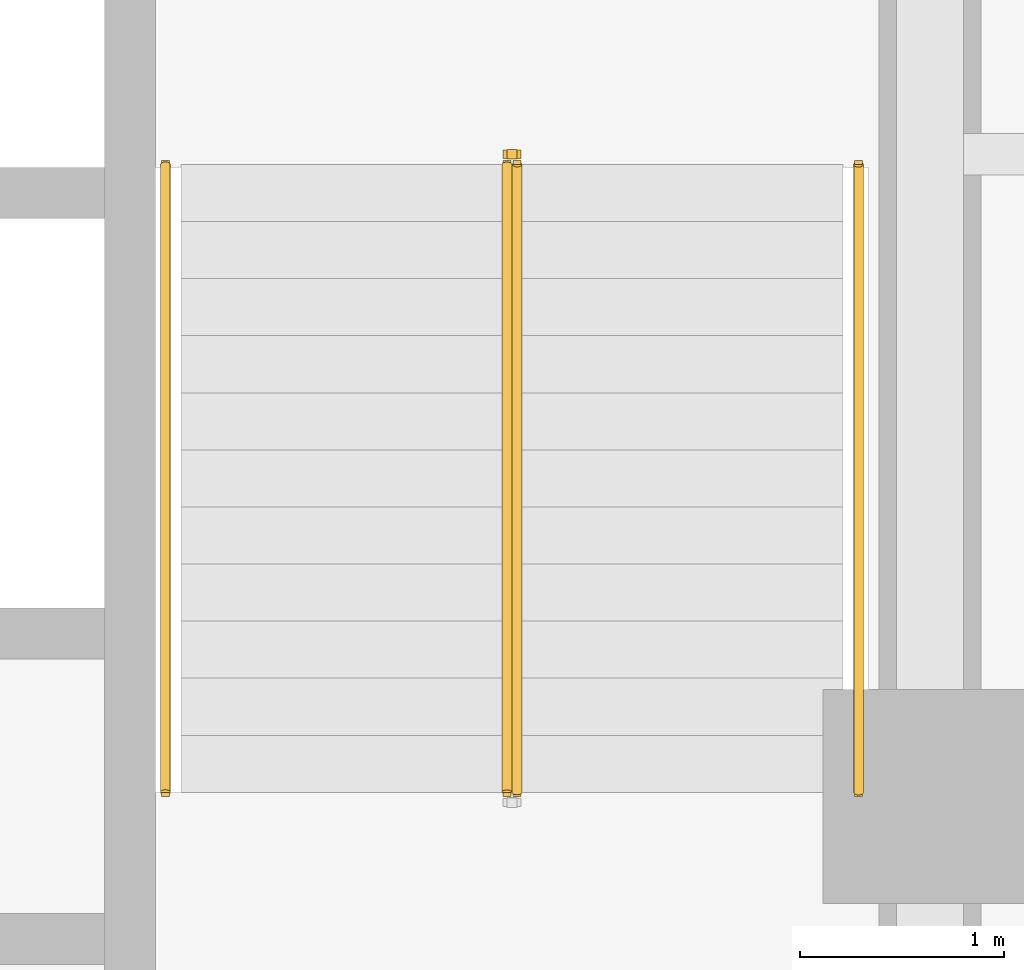
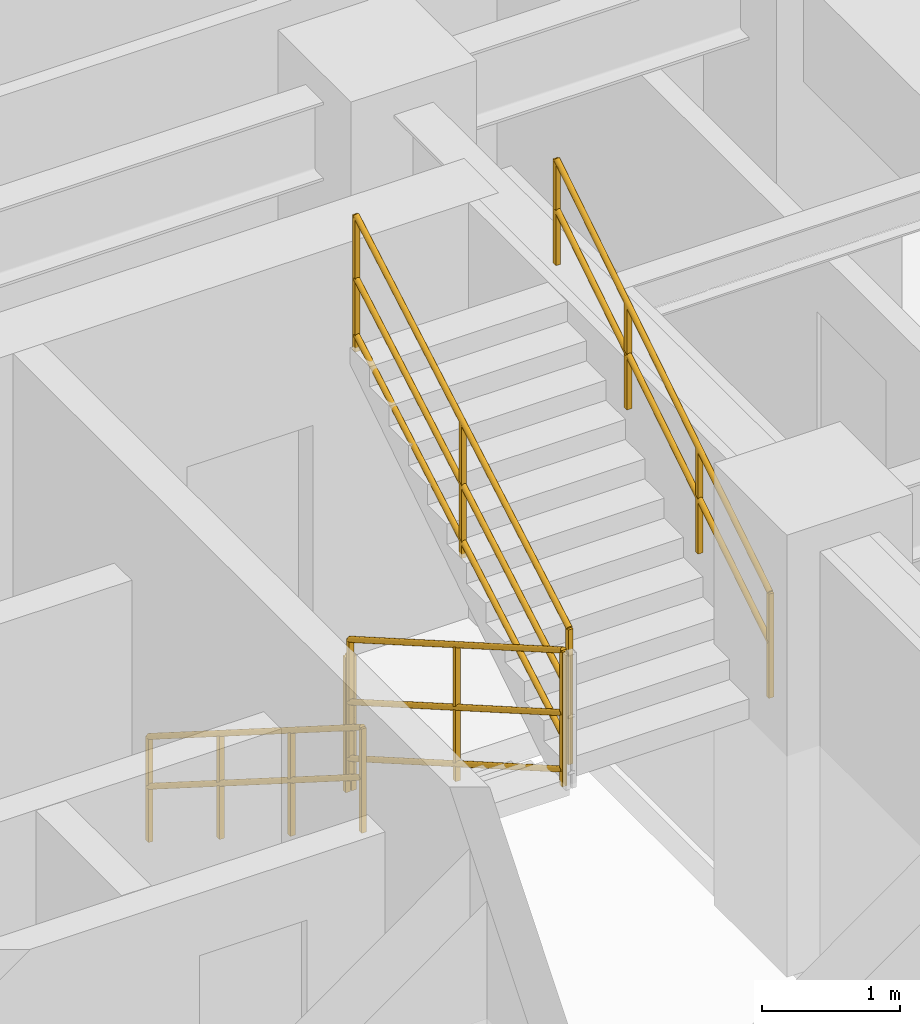
# One storey, part 8 of 9: 5 railings.
"""IFC4 building model written with IfcOpenShell, lengths in metres."""

from ifc_helpers import new_model, entity, si_unit, converted_unit, direction, frame, origin_with_axes, origin_2d_with_axis, place, context, subcontext, project, spatial, rectangle, circle, extrude, material, type_object, element, save


model = new_model("IFC4")

# Units and contexts
model_context = context("Model", 3, precision=1e-05, world=origin_with_axes(), true_north=direction((0.0, 1.0)))
body_context = subcontext(model_context, "Body", "Model", "MODEL_VIEW")
ifc_project = project(units=[si_unit("LENGTHUNIT", "METRE"), si_unit("AREAUNIT", "SQUARE_METRE"), si_unit("VOLUMEUNIT", "CUBIC_METRE"), converted_unit("PLANEANGLEUNIT", "DEGREE", entity("IfcPlaneAngleMeasure", 0.017453292519943295), si_unit("PLANEANGLEUNIT", "RADIAN"), dimensions=[0, 0, 0, 0, 0, 0, 0]), si_unit("MASSUNIT", "GRAM", prefix="KILO"), si_unit("THERMODYNAMICTEMPERATUREUNIT", "KELVIN")], contexts=[model_context])

# Site, building, storey
site_placement = place(None, origin_with_axes())
site = spatial("IfcSite", under=ifc_project, at=site_placement, CompositionType="ELEMENT")
building_placement = place(site_placement, origin_with_axes())
building = spatial("IfcBuilding", under=site, at=building_placement, Name="Varnlund Millrace Tower", CompositionType="ELEMENT")
storey_placement = place(building_placement, frame((0.0, 0.0, 164.1), z_axis=(0.0, 0.0, 1.0), x_axis=(1.0, 0.0, 0.0)))
storey = spatial("IfcBuildingStorey", under=building, at=storey_placement, Name="L40", CompositionType="ELEMENT", Elevation=164.1)

# Railings
ifc_material_1 = material(Name="Painted steel stair well balustrade guard", Category="steel")
railing_type_1 = type_object("IfcRailingType", Name="Type-StairGuard-1150", PredefinedType="GUARDRAIL", material=ifc_material_1)
railing_1_placement = place(storey_placement, frame((0.0, 0.0, -164.1), z_axis=(0.0, 0.0, 1.0), x_axis=(1.0, 0.0, 0.0)))
element("IfcRailing", 1, at=railing_1_placement, inside=storey, type_object=railing_type_1, Name="Type-StairGuard-1150", PredefinedType="GUARDRAIL", context=body_context, shape_type="SweptSolid", body=[
    extrude(circle(Radius=0.024, at=origin_2d_with_axis()), frame((45.975, 21.1, 165.427273), z_axis=(0.0, -0.866696, 0.498836), x_axis=(1.0, 0.0, 0.0)), (0.0, 0.0, 1.0), 3.553725),
    extrude(circle(Radius=0.024, at=origin_2d_with_axis()), frame((45.975, 21.1, 164.377273), z_axis=(0.0, -0.866696, 0.498836), x_axis=(1.0, 0.0, 0.0)), (0.0, 0.0, 1.0), 3.553725),
    extrude(circle(Radius=0.024, at=origin_2d_with_axis()), frame((45.975, 21.1, 164.875273), z_axis=(0.0, -0.866696, 0.498836), x_axis=(1.0, 0.0, 0.0)), (0.0, 0.0, 1.0), 3.553725),
    extrude(rectangle(XDim=0.04, YDim=0.04, at=origin_2d_with_axis()), frame((45.975, 21.1, 164.237273), z_axis=(0.0, 0.0, 1.0), x_axis=(1.0, 0.0, 0.0)), (0.0, 0.0, 1.0), 1.19),
    extrude(rectangle(XDim=0.04, YDim=0.04, at=origin_2d_with_axis()), frame((45.975, 19.56, 165.123636), z_axis=(0.0, 0.0, 1.0), x_axis=(1.0, 0.0, 0.0)), (0.0, 0.0, 1.0), 1.19),
    extrude(rectangle(XDim=0.04, YDim=0.04, at=origin_2d_with_axis()), frame((45.975, 18.02, 166.01), z_axis=(0.0, 0.0, 1.0), x_axis=(1.0, 0.0, 0.0)), (0.0, 0.0, 1.0), 1.19),
])
railing_2_placement = place(storey_placement, frame((0.0, 0.0, -164.1), z_axis=(0.0, 0.0, 1.0), x_axis=(1.0, 0.0, 0.0)))
element("IfcRailing", 2, at=railing_2_placement, inside=storey, type_object=railing_type_1, Name="Type-StairGuard-1150", PredefinedType="GUARDRAIL", context=body_context, shape_type="SweptSolid", body=[
    extrude(circle(Radius=0.024, at=origin_2d_with_axis()), frame((46.025, 18.02, 167.377273), z_axis=(0.0, 0.866696, 0.498836), x_axis=(-1.0, 0.0, 0.0)), (0.0, 0.0, 1.0), 3.553725),
    extrude(circle(Radius=0.024, at=origin_2d_with_axis()), frame((46.025, 18.02, 166.327273), z_axis=(0.0, 0.866696, 0.498836), x_axis=(-1.0, 0.0, 0.0)), (0.0, 0.0, 1.0), 3.553725),
    extrude(circle(Radius=0.024, at=origin_2d_with_axis()), frame((46.025, 18.02, 166.825273), z_axis=(0.0, 0.866696, 0.498836), x_axis=(-1.0, 0.0, 0.0)), (0.0, 0.0, 1.0), 3.553725),
    extrude(rectangle(XDim=0.04, YDim=0.04, at=origin_2d_with_axis()), frame((46.025, 18.02, 166.187273), z_axis=(0.0, 0.0, 1.0), x_axis=(1.0, 0.0, 0.0)), (0.0, 0.0, 1.0), 1.19),
    extrude(rectangle(XDim=0.04, YDim=0.04, at=origin_2d_with_axis()), frame((46.025, 19.56, 167.073636), z_axis=(0.0, 0.0, 1.0), x_axis=(1.0, 0.0, 0.0)), (0.0, 0.0, 1.0), 1.19),
    extrude(rectangle(XDim=0.04, YDim=0.04, at=origin_2d_with_axis()), frame((46.025, 21.1, 167.96), z_axis=(0.0, 0.0, 1.0), x_axis=(1.0, 0.0, 0.0)), (0.0, 0.0, 1.0), 1.19),
])
railing_3_placement = place(storey_placement, frame((0.0, 0.0, -164.1), z_axis=(0.0, 0.0, 1.0), x_axis=(1.0, 0.0, 0.0)))
element("IfcRailing", 3, at=railing_3_placement, inside=storey, type_object=railing_type_1, Name="Type-StairGuard-1150", PredefinedType="GUARDRAIL", context=body_context, shape_type="SweptSolid", body=[
    extrude(circle(Radius=0.024, at=origin_2d_with_axis()), frame((46.025, 21.15, 165.25), z_axis=(-1.0, 0.0, 0.0), x_axis=(0.0, -1.0, 0.0)), (0.0, 0.0, 1.0), 0.05),
    extrude(circle(Radius=0.024, at=origin_2d_with_axis()), frame((46.025, 21.15, 164.2), z_axis=(-1.0, 0.0, 0.0), x_axis=(0.0, -1.0, 0.0)), (0.0, 0.0, 1.0), 0.05),
    extrude(circle(Radius=0.024, at=origin_2d_with_axis()), frame((46.025, 21.15, 164.698), z_axis=(-1.0, 0.0, 0.0), x_axis=(0.0, -1.0, 0.0)), (0.0, 0.0, 1.0), 0.05),
    extrude(rectangle(XDim=0.04, YDim=0.04, at=origin_2d_with_axis()), frame((46.025, 21.15, 164.06), z_axis=(0.0, 0.0, 1.0), x_axis=(1.0, 0.0, 0.0)), (0.0, 0.0, 1.0), 1.19),
    extrude(rectangle(XDim=0.04, YDim=0.04, at=origin_2d_with_axis()), frame((45.975, 21.15, 164.06), z_axis=(0.0, 0.0, 1.0), x_axis=(1.0, 0.0, 0.0)), (0.0, 0.0, 1.0), 1.19),
])
ifc_material_2 = material(Name="Brushed architectural bronze stair handrail", Category="aluminium")
railing_type_2 = type_object("IfcRailingType", Name="Type-StairHandrail-900", PredefinedType="HANDRAIL", material=ifc_material_2)
railing_4_placement = place(storey_placement, frame((0.0, 0.0, -164.1), z_axis=(0.0, 0.0, 1.0), x_axis=(1.0, 0.0, 0.0)))
element("IfcRailing", 4, at=railing_4_placement, inside=storey, type_object=railing_type_2, Name="Type-StairHandrail-900", PredefinedType="HANDRAIL", context=body_context, shape_type="SweptSolid", body=[
    extrude(circle(Radius=0.024, at=origin_2d_with_axis()), frame((44.3, 21.1, 165.156995), z_axis=(0.0, -0.844902, 0.534922), x_axis=(1.0, 0.0, 0.0)), (0.0, 0.0, 1.0), 3.645394),
    extrude(circle(Radius=0.024, at=origin_2d_with_axis()), frame((44.3, 21.1, 164.717134), z_axis=(0.0, -0.844902, 0.534922), x_axis=(1.0, 0.0, 0.0)), (0.0, 0.0, 1.0), 3.645394),
    extrude(rectangle(XDim=0.04, YDim=0.04, at=origin_2d_with_axis()), frame((44.3, 21.1, 164.237273), z_axis=(0.0, 0.0, 1.0), x_axis=(1.0, 0.0, 0.0)), (0.0, 0.0, 1.0), 0.919722),
    extrude(rectangle(XDim=0.04, YDim=0.04, at=origin_2d_with_axis()), frame((44.3, 20.073333, 164.887273), z_axis=(0.0, 0.0, 1.0), x_axis=(1.0, 0.0, 0.0)), (0.0, 0.0, 1.0), 0.919722),
    extrude(rectangle(XDim=0.04, YDim=0.04, at=origin_2d_with_axis()), frame((44.3, 19.046667, 165.537273), z_axis=(0.0, 0.0, 1.0), x_axis=(1.0, 0.0, 0.0)), (0.0, 0.0, 1.0), 0.919722),
    extrude(rectangle(XDim=0.04, YDim=0.04, at=origin_2d_with_axis()), frame((44.3, 18.02, 166.187273), z_axis=(0.0, 0.0, 1.0), x_axis=(1.0, 0.0, 0.0)), (0.0, 0.0, 1.0), 0.919722),
])
railing_5_placement = place(storey_placement, frame((0.0, 0.0, -164.1), z_axis=(0.0, 0.0, 1.0), x_axis=(1.0, 0.0, 0.0)))
element("IfcRailing", 5, at=railing_5_placement, inside=storey, type_object=railing_type_2, Name="Type-StairHandrail-900", PredefinedType="HANDRAIL", context=body_context, shape_type="SweptSolid", body=[
    extrude(circle(Radius=0.024, at=origin_2d_with_axis()), frame((47.7, 18.02, 167.106995), z_axis=(0.0, 0.844902, 0.534922), x_axis=(-1.0, 0.0, 0.0)), (0.0, 0.0, 1.0), 3.645394),
    extrude(circle(Radius=0.024, at=origin_2d_with_axis()), frame((47.7, 18.02, 166.667134), z_axis=(0.0, 0.844902, 0.534922), x_axis=(-1.0, 0.0, 0.0)), (0.0, 0.0, 1.0), 3.645394),
    extrude(rectangle(XDim=0.04, YDim=0.04, at=origin_2d_with_axis()), frame((47.7, 18.02, 166.187273), z_axis=(0.0, 0.0, 1.0), x_axis=(1.0, 0.0, 0.0)), (0.0, 0.0, 1.0), 0.919722),
    extrude(rectangle(XDim=0.04, YDim=0.04, at=origin_2d_with_axis()), frame((47.7, 19.046667, 166.837273), z_axis=(0.0, 0.0, 1.0), x_axis=(1.0, 0.0, 0.0)), (0.0, 0.0, 1.0), 0.919722),
    extrude(rectangle(XDim=0.04, YDim=0.04, at=origin_2d_with_axis()), frame((47.7, 20.073333, 167.487273), z_axis=(0.0, 0.0, 1.0), x_axis=(1.0, 0.0, 0.0)), (0.0, 0.0, 1.0), 0.919722),
    extrude(rectangle(XDim=0.04, YDim=0.04, at=origin_2d_with_axis()), frame((47.7, 21.1, 168.137273), z_axis=(0.0, 0.0, 1.0), x_axis=(1.0, 0.0, 0.0)), (0.0, 0.0, 1.0), 0.919722),
])

save(model, "model.ifc")
